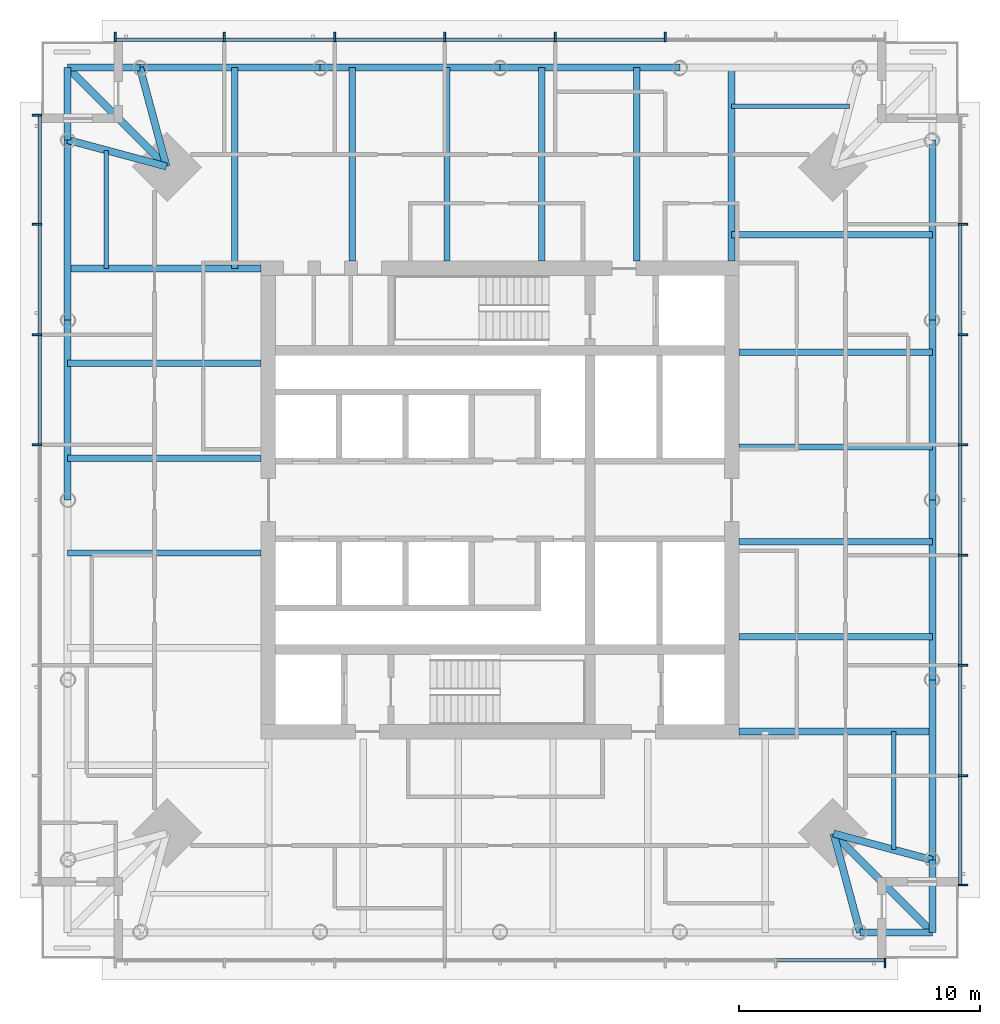
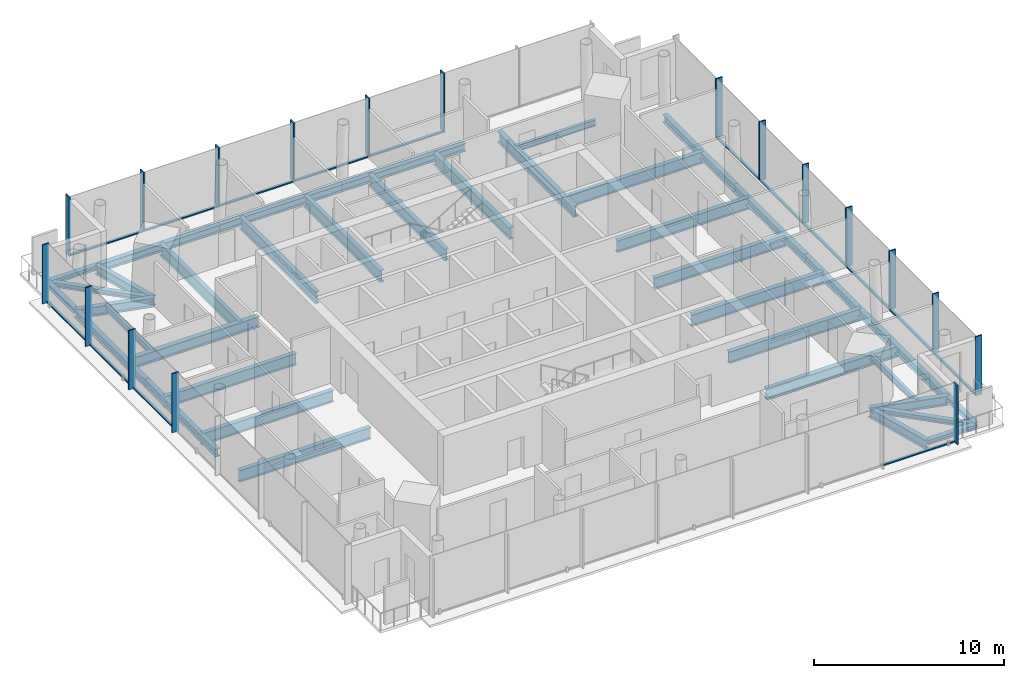
# One storey, part 2 of 11: 38 beams, 33 members, 4 elements without a shape of their own.
"""IFC4 building model written with IfcOpenShell, lengths in metres."""

from ifc_helpers import new_model, si_unit, direction, frame, origin, origin_2d, place, context, subcontext, project, spatial, rectangle, i_section, extrude, material, material_profile, profile_set, type_object, element, aggregate, save


model = new_model("IFC4")

# Units and contexts
model_context = context("Model", 3, precision=1e-05, world=origin(), true_north=direction((0.0, 1.0)))
body_context = subcontext(model_context, "Body", "Model", "MODEL_VIEW")
ifc_project = project(units=[si_unit("LENGTHUNIT", "METRE"), si_unit("AREAUNIT", "SQUARE_METRE"), si_unit("VOLUMEUNIT", "CUBIC_METRE"), si_unit("PLANEANGLEUNIT", "RADIAN"), si_unit("MASSUNIT", "GRAM", prefix="KILO")], contexts=[model_context])

# Site, building, storey
site_placement = place(None, origin())
site = spatial("IfcSite", under=ifc_project, at=site_placement, CompositionType="ELEMENT")
building_placement = place(site_placement, origin())
building = spatial("IfcBuilding", under=site, at=building_placement, Name="Ostroluk Exchange", CompositionType="ELEMENT")
storey_placement = place(building_placement, frame((0.0, 0.0, 211.0)))
storey = spatial("IfcBuildingStorey", under=building, at=storey_placement, Name="L54", CompositionType="ELEMENT", Elevation=211.0)

# Beams
ifc_material_1 = material(Name="Steel S355", Category="steel")
ifc_material_profile_1 = material_profile(ifc_material_1, i_section(OverallWidth=0.300048828125, OverallDepth=0.300048828125, WebThickness=0.010986328125, FlangeThickness=0.01904296875, FilletRadius=0.027099609375, at=origin_2d()), Name="HEB 300")
ifc_profile_set_1 = profile_set([ifc_material_profile_1], Name="Steel S355")
beam_type_1 = type_object("IfcBeamType", Name="Balcony beam HEB 300", PredefinedType="BEAM", material=ifc_profile_set_1)
for number, where, z_axis, x_axis, name in (
    (1, (30.071533203125, 63.928466796875, -0.330078125), (-1.0, 0.0, 0.0), (0.0, -1.0, 0.0), "T1 north balcony beam a"),
    (2, (27.071533203125, 60.928466796875, -0.330078125), (0.0, 1.0, 0.0), (-1.0, 0.0, 0.0), "T1 north balcony beam b"),
):
    element("IfcBeam", number, at=place(storey_placement, frame(where, z_axis=z_axis, x_axis=x_axis)), inside=storey, type_object=beam_type_1, Name=name, PredefinedType="BEAM", context=body_context, shape_type="SweptSolid", body=[
        extrude(i_section(OverallWidth=0.300048828125, OverallDepth=0.300048828125, WebThickness=0.010986328125, FlangeThickness=0.01904296875, FilletRadius=0.027099609375, at=origin_2d()), origin(), (0.0, 0.0, 1.0), 3.0),
    ])
beam_1_placement = place(storey_placement, frame((31.17138671875, 59.82861328125, -0.330078125), z_axis=(-0.707106781187, 0.707106781187, 0.0), x_axis=(-0.707106781187, -0.707106781187, 0.0)))
element("IfcBeam", 3, at=beam_1_placement, inside=storey, type_object=beam_type_1, Name="T1 north balcony beam c", PredefinedType="BEAM", context=body_context, shape_type="SweptSolid", body=[
    extrude(i_section(OverallWidth=0.300048828125, OverallDepth=0.300048828125, WebThickness=0.010986328125, FlangeThickness=0.01904296875, FilletRadius=0.027099609375, at=origin_2d()), origin(), (0.0, 0.0, 1.0), 5.798095703125),
])
for number, where, z_axis, x_axis, name in (
    (4, (59.928466796875, 28.071533203125, -0.330078125), (1.0, 0.0, 0.0), (0.0, 1.0, 0.0), "T1 south balcony beam a"),
    (5, (62.928466796875, 31.071533203125, -0.330078125), (0.0, -1.0, 0.0), (1.0, 0.0, 0.0), "T1 south balcony beam b"),
):
    element("IfcBeam", number, at=place(storey_placement, frame(where, z_axis=z_axis, x_axis=x_axis)), inside=storey, type_object=beam_type_1, Name=name, PredefinedType="BEAM", context=body_context, shape_type="SweptSolid", body=[
        extrude(i_section(OverallWidth=0.300048828125, OverallDepth=0.300048828125, WebThickness=0.010986328125, FlangeThickness=0.01904296875, FilletRadius=0.027099609375, at=origin_2d()), origin(), (0.0, 0.0, 1.0), 3.0),
    ])
beam_2_placement = place(storey_placement, frame((58.82861328125, 32.17138671875, -0.330078125), z_axis=(0.707106781187, -0.707106781187, 0.0), x_axis=(0.707106781187, 0.707106781187, 0.0)))
element("IfcBeam", 6, at=beam_2_placement, inside=storey, type_object=beam_type_1, Name="T1 south balcony beam c", PredefinedType="BEAM", context=body_context, shape_type="SweptSolid", body=[
    extrude(i_section(OverallWidth=0.300048828125, OverallDepth=0.300048828125, WebThickness=0.010986328125, FlangeThickness=0.01904296875, FilletRadius=0.027099609375, at=origin_2d()), origin(), (0.0, 0.0, 1.0), 5.798095703125),
])
ifc_material_2 = material(Name="Steel S355", Category="steel")
ifc_material_profile_2 = material_profile(ifc_material_2, i_section(OverallWidth=0.300048828125, OverallDepth=0.60009765625, WebThickness=0.015380859375, FlangeThickness=0.030029296875, FilletRadius=0.027099609375, at=origin_2d()), Name="HEB 600")
ifc_profile_set_2 = profile_set([ifc_material_profile_2], Name="Steel S355")
beam_type_2 = type_object("IfcBeamType", Name="Corner edge beam HEB 600", PredefinedType="SPANDREL", material=ifc_profile_set_2)
for number, where, z_axis, x_axis, name in (
    (7, (31.17138671875, 59.82861328125, -0.47998046875), (-0.259105011038, 0.965849156574, 0.0), (-0.965849156574, -0.259105011038, 0.0), "T1 north corner edge beam a"),
    (8, (31.17138671875, 59.82861328125, -0.47998046875), (-0.965849156574, 0.259105011038, 0.0), (-0.259105011038, -0.965849156574, 0.0), "T1 north corner edge beam b"),
    (9, (58.82861328125, 32.17138671875, -0.47998046875), (0.259105011038, -0.965849156574, 0.0), (0.965849156574, 0.259105011038, 0.0), "T1 south corner edge beam a"),
    (10, (58.82861328125, 32.17138671875, -0.47998046875), (0.965849156574, -0.259105011038, 0.0), (0.259105011038, 0.965849156574, 0.0), "T1 south corner edge beam b"),
):
    element("IfcBeam", number, at=place(storey_placement, frame(where, z_axis=z_axis, x_axis=x_axis)), inside=storey, type_object=beam_type_2, Name=name, PredefinedType="SPANDREL", context=body_context, shape_type="SweptSolid", body=[
        extrude(i_section(OverallWidth=0.300048828125, OverallDepth=0.60009765625, WebThickness=0.015380859375, FlangeThickness=0.030029296875, FilletRadius=0.027099609375, at=origin_2d()), origin(), (0.0, 0.0, 1.0), 4.244873046875),
    ])
ifc_material_3 = material(Name="Steel S355", Category="steel")
ifc_material_profile_3 = material_profile(ifc_material_3, i_section(OverallWidth=0.179931640625, OverallDepth=0.39990234375, WebThickness=0.008544921875, FlangeThickness=0.013427734375, FilletRadius=0.02099609375, at=origin_2d()), Name="IPE 400")
ifc_profile_set_3 = profile_set([ifc_material_profile_3], Name="Steel S355")
beam_type_3 = type_object("IfcBeamType", Name="Floor beam IPE 400", PredefinedType="BEAM", material=ifc_profile_set_3)
for number, where, z_axis, x_axis, name in (
    (11, (54.60009765625, 62.32861328125, -0.3798828125), (1.0, 0.0, 0.0), (0.0, 1.0, 0.0), "T1 east floor beam 6"),
    (12, (28.67138671875, 55.60009765625, -0.3798828125), (0.0, 1.0, 0.0), (-1.0, 0.0, 0.0), "T1 north floor beam 6"),
    (13, (61.32861328125, 36.39990234375, -0.3798828125), (0.0, -1.0, 0.0), (1.0, 0.0, 0.0), "T1 south floor beam 6"),
):
    element("IfcBeam", number, at=place(storey_placement, frame(where, z_axis=z_axis, x_axis=x_axis)), inside=storey, type_object=beam_type_3, Name=name, PredefinedType="BEAM", context=body_context, shape_type="SweptSolid", body=[
        extrude(i_section(OverallWidth=0.179931640625, OverallDepth=0.39990234375, WebThickness=0.008544921875, FlangeThickness=0.013427734375, FilletRadius=0.02099609375, at=origin_2d()), origin(), (0.0, 0.0, 1.0), 4.899169921875),
    ])
ifc_material_4 = material(Name="Steel S355", Category="steel")
ifc_material_profile_4 = material_profile(ifc_material_4, i_section(OverallWidth=0.264892578125, OverallDepth=0.7529296875, WebThickness=0.01318359375, FlangeThickness=0.01708984375, FilletRadius=0.01708984375, at=origin_2d()), Name="IPE 750x147")
ifc_profile_set_4 = profile_set([ifc_material_profile_4], Name="Steel S355")
beam_type_4 = type_object("IfcBeamType", Name="Floor beam IPE 750x147", PredefinedType="BEAM", material=ifc_profile_set_4)
for number, where, z_axis, x_axis, name in (
    (14, (54.89990234375, 40.332763671875, -0.556396484375), (1.0, 0.0, 0.0), (0.0, 1.0, 0.0), "T1 east floor beam 1"),
    (15, (54.89990234375, 44.265380859375, -0.556396484375), (1.0, 0.0, 0.0), (0.0, 1.0, 0.0), "T1 east floor beam 2"),
    (16, (54.89990234375, 48.197998046875, -0.556396484375), (1.0, 0.0, 0.0), (0.0, 1.0, 0.0), "T1 east floor beam 3"),
    (17, (54.89990234375, 52.130615234375, -0.556396484375), (1.0, 0.0, 0.0), (0.0, 1.0, 0.0), "T1 east floor beam 4"),
):
    element("IfcBeam", number, at=place(storey_placement, frame(where, z_axis=z_axis, x_axis=x_axis)), inside=storey, type_object=beam_type_4, Name=name, PredefinedType="BEAM", context=body_context, shape_type="SweptSolid", body=[
        extrude(i_section(OverallWidth=0.264892578125, OverallDepth=0.7529296875, WebThickness=0.01318359375, FlangeThickness=0.01708984375, FilletRadius=0.01708984375, at=origin_2d()), origin(), (0.0, 0.0, 1.0), 8.028564453125),
    ])
beam_3_placement = place(storey_placement, frame((54.60009765625, 57.0, -0.556396484375), z_axis=(1.0, 0.0, 0.0), x_axis=(0.0, 1.0, 0.0)))
element("IfcBeam", 18, at=beam_3_placement, inside=storey, type_object=beam_type_4, Name="T1 east floor beam 5", PredefinedType="BEAM", context=body_context, shape_type="SweptSolid", body=[
    extrude(i_section(OverallWidth=0.264892578125, OverallDepth=0.7529296875, WebThickness=0.01318359375, FlangeThickness=0.01708984375, FilletRadius=0.01708984375, at=origin_2d()), origin(), (0.0, 0.0, 1.0), 8.328369140625),
])
for number, where, z_axis, x_axis, name in (
    (19, (50.667236328125, 55.89990234375, -0.556396484375), (0.0, 1.0, 0.0), (-1.0, 0.0, 0.0), "T1 north floor beam 1"),
    (20, (46.734619140625, 55.89990234375, -0.556396484375), (0.0, 1.0, 0.0), (-1.0, 0.0, 0.0), "T1 north floor beam 2"),
    (21, (42.802001953125, 55.89990234375, -0.556396484375), (0.0, 1.0, 0.0), (-1.0, 0.0, 0.0), "T1 north floor beam 3"),
    (22, (38.869384765625, 55.89990234375, -0.556396484375), (0.0, 1.0, 0.0), (-1.0, 0.0, 0.0), "T1 north floor beam 4"),
):
    element("IfcBeam", number, at=place(storey_placement, frame(where, z_axis=z_axis, x_axis=x_axis)), inside=storey, type_object=beam_type_4, Name=name, PredefinedType="BEAM", context=body_context, shape_type="SweptSolid", body=[
        extrude(i_section(OverallWidth=0.264892578125, OverallDepth=0.7529296875, WebThickness=0.01318359375, FlangeThickness=0.01708984375, FilletRadius=0.01708984375, at=origin_2d()), origin(), (0.0, 0.0, 1.0), 8.028564453125),
    ])
beam_4_placement = place(storey_placement, frame((34.0, 55.60009765625, -0.556396484375), z_axis=(0.0, 1.0, 0.0), x_axis=(-1.0, 0.0, 0.0)))
element("IfcBeam", 23, at=beam_4_placement, inside=storey, type_object=beam_type_4, Name="T1 north floor beam 5", PredefinedType="BEAM", context=body_context, shape_type="SweptSolid", body=[
    extrude(i_section(OverallWidth=0.264892578125, OverallDepth=0.7529296875, WebThickness=0.01318359375, FlangeThickness=0.01708984375, FilletRadius=0.01708984375, at=origin_2d()), origin(), (0.0, 0.0, 1.0), 8.328369140625),
])
for number, where, z_axis, x_axis, name in (
    (24, (35.10009765625, 51.667236328125, -0.556396484375), (-1.0, 0.0, 0.0), (0.0, -1.0, 0.0), "T1 west floor beam 1"),
    (25, (35.10009765625, 47.734619140625, -0.556396484375), (-1.0, 0.0, 0.0), (0.0, -1.0, 0.0), "T1 west floor beam 2"),
    (26, (35.10009765625, 43.802001953125, -0.556396484375), (-1.0, 0.0, 0.0), (0.0, -1.0, 0.0), "T1 west floor beam 3"),
):
    element("IfcBeam", number, at=place(storey_placement, frame(where, z_axis=z_axis, x_axis=x_axis)), inside=storey, type_object=beam_type_4, Name=name, PredefinedType="BEAM", context=body_context, shape_type="SweptSolid", body=[
        extrude(i_section(OverallWidth=0.264892578125, OverallDepth=0.7529296875, WebThickness=0.01318359375, FlangeThickness=0.01708984375, FilletRadius=0.01708984375, at=origin_2d()), origin(), (0.0, 0.0, 1.0), 8.028564453125),
    ])
ifc_material_5 = material(Name="Steel S355", Category="steel")
ifc_material_profile_5 = material_profile(ifc_material_5, i_section(OverallWidth=0.300048828125, OverallDepth=0.699951171875, WebThickness=0.01708984375, FlangeThickness=0.031982421875, FilletRadius=0.027099609375, at=origin_2d()), Name="HEB 700")
ifc_profile_set_5 = profile_set([ifc_material_profile_5], Name="Steel S355")
beam_type_5 = type_object("IfcBeamType", Name="Girder HEB 700", PredefinedType="BEAM", material=ifc_profile_set_5)
for number, where, z_axis, x_axis, name in (
    (27, (54.60009765625, 55.89990234375, -0.530029296875), (0.0, 1.0, 0.0), (-1.0, 0.0, 0.0), "T1 east girder"),
    (28, (35.10009765625, 55.60009765625, -0.530029296875), (-1.0, 0.0, 0.0), (0.0, -1.0, 0.0), "T1 north girder"),
    (29, (54.89990234375, 36.39990234375, -0.530029296875), (1.0, 0.0, 0.0), (0.0, 1.0, 0.0), "T1 south girder"),
):
    element("IfcBeam", number, at=place(storey_placement, frame(where, z_axis=z_axis, x_axis=x_axis)), inside=storey, type_object=beam_type_5, Name=name, PredefinedType="BEAM", context=body_context, shape_type="SweptSolid", body=[
        extrude(i_section(OverallWidth=0.300048828125, OverallDepth=0.699951171875, WebThickness=0.01708984375, FlangeThickness=0.031982421875, FilletRadius=0.027099609375, at=origin_2d()), origin(), (0.0, 0.0, 1.0), 8.028564453125),
    ])
ifc_material_6 = material(Name="Steel S355", Category="steel")
ifc_material_profile_6 = material_profile(ifc_material_6, i_section(OverallWidth=0.300048828125, OverallDepth=0.5, WebThickness=0.014404296875, FlangeThickness=0.028076171875, FilletRadius=0.027099609375, at=origin_2d()), Name="HEB 500")
ifc_profile_set_6 = profile_set([ifc_material_profile_6], Name="Steel S355")
beam_type_6 = type_object("IfcBeamType", Name="Moment-connected edge beam HEB 500", PredefinedType="SPANDREL", material=ifc_profile_set_6)
beam_5_placement = place(storey_placement, frame((62.928466796875, 31.071533203125, -0.429931640625), z_axis=(0.0, 1.0, 0.0), x_axis=(-1.0, 0.0, 0.0)))
element("IfcBeam", 30, at=beam_5_placement, inside=storey, type_object=beam_type_6, Name="T1 east edge beam 1", PredefinedType="SPANDREL", context=body_context, shape_type="SweptSolid", body=[
    extrude(i_section(OverallWidth=0.300048828125, OverallDepth=0.5, WebThickness=0.014404296875, FlangeThickness=0.028076171875, FilletRadius=0.027099609375, at=origin_2d()), origin(), (0.0, 0.0, 1.0), 7.464111328125),
])
for number, where, z_axis, x_axis, name in (
    (31, (62.928466796875, 38.53564453125, -0.429931640625), (0.0, 1.0, 0.0), (-1.0, 0.0, 0.0), "T1 east edge beam 2"),
    (32, (62.928466796875, 46.0, -0.429931640625), (0.0, 1.0, 0.0), (-1.0, 0.0, 0.0), "T1 east edge beam 3"),
):
    element("IfcBeam", number, at=place(storey_placement, frame(where, z_axis=z_axis, x_axis=x_axis)), inside=storey, type_object=beam_type_6, Name=name, PredefinedType="SPANDREL", context=body_context, shape_type="SweptSolid", body=[
        extrude(i_section(OverallWidth=0.300048828125, OverallDepth=0.5, WebThickness=0.014404296875, FlangeThickness=0.028076171875, FilletRadius=0.027099609375, at=origin_2d()), origin(), (0.0, 0.0, 1.0), 7.46435546875),
    ])
beam_6_placement = place(storey_placement, frame((62.928466796875, 53.46435546875, -0.429931640625), z_axis=(0.0, 1.0, 0.0), x_axis=(-1.0, 0.0, 0.0)))
element("IfcBeam", 33, at=beam_6_placement, inside=storey, type_object=beam_type_6, Name="T1 east edge beam 4", PredefinedType="SPANDREL", context=body_context, shape_type="SweptSolid", body=[
    extrude(i_section(OverallWidth=0.300048828125, OverallDepth=0.5, WebThickness=0.014404296875, FlangeThickness=0.028076171875, FilletRadius=0.027099609375, at=origin_2d()), origin(), (0.0, 0.0, 1.0), 7.464111328125),
])
for number, where, z_axis, x_axis, name in (
    (34, (52.46435546875, 63.928466796875, -0.429931640625), (-1.0, 0.0, 0.0), (0.0, -1.0, 0.0), "T1 north edge beam 2"),
    (35, (45.0, 63.928466796875, -0.429931640625), (-1.0, 0.0, 0.0), (0.0, -1.0, 0.0), "T1 north edge beam 3"),
):
    element("IfcBeam", number, at=place(storey_placement, frame(where, z_axis=z_axis, x_axis=x_axis)), inside=storey, type_object=beam_type_6, Name=name, PredefinedType="SPANDREL", context=body_context, shape_type="SweptSolid", body=[
        extrude(i_section(OverallWidth=0.300048828125, OverallDepth=0.5, WebThickness=0.014404296875, FlangeThickness=0.028076171875, FilletRadius=0.027099609375, at=origin_2d()), origin(), (0.0, 0.0, 1.0), 7.46435546875),
    ])
for number, where, z_axis, x_axis, name in (
    (36, (37.53564453125, 63.928466796875, -0.429931640625), (-1.0, 0.0, 0.0), (0.0, -1.0, 0.0), "T1 north edge beam 4"),
    (37, (27.071533203125, 60.928466796875, -0.429931640625), (0.0, -1.0, 0.0), (1.0, 0.0, 0.0), "T1 west edge beam 1"),
):
    element("IfcBeam", number, at=place(storey_placement, frame(where, z_axis=z_axis, x_axis=x_axis)), inside=storey, type_object=beam_type_6, Name=name, PredefinedType="SPANDREL", context=body_context, shape_type="SweptSolid", body=[
        extrude(i_section(OverallWidth=0.300048828125, OverallDepth=0.5, WebThickness=0.014404296875, FlangeThickness=0.028076171875, FilletRadius=0.027099609375, at=origin_2d()), origin(), (0.0, 0.0, 1.0), 7.464111328125),
    ])
beam_7_placement = place(storey_placement, frame((27.071533203125, 53.46435546875, -0.429931640625), z_axis=(0.0, -1.0, 0.0), x_axis=(1.0, 0.0, 0.0)))
element("IfcBeam", 38, at=beam_7_placement, inside=storey, type_object=beam_type_6, Name="T1 west edge beam 2", PredefinedType="SPANDREL", context=body_context, shape_type="SweptSolid", body=[
    extrude(i_section(OverallWidth=0.300048828125, OverallDepth=0.5, WebThickness=0.014404296875, FlangeThickness=0.028076171875, FilletRadius=0.027099609375, at=origin_2d()), origin(), (0.0, 0.0, 1.0), 7.46435546875),
])

# Curtain wall, member
ifc_material_7 = material(Name="Laminated clear glass", Category="glass")
curtain_wall_type = type_object("IfcCurtainWallType", Name="Office tower facade", PredefinedType="USERDEFINED", material=ifc_material_7)
curtain_wall_1_placement = place(storey_placement, origin())
curtain_wall_1 = element("IfcCurtainWall", 39, at=curtain_wall_1_placement, inside=storey, type_object=curtain_wall_type, Name="Office tower south facade L54", ObjectType="UNITISED CURTAIN WALL", PredefinedType="USERDEFINED")
ifc_material_8 = material(Name="Aluminium mullion", Category="aluminium")
ifc_material_profile_7 = material_profile(ifc_material_8, rectangle(XDim=0.14990234375, YDim=0.080078125, at=origin_2d()), Name="Sill transom 80 x 150")
ifc_profile_set_7 = profile_set([ifc_material_profile_7], Name="Aluminium mullion")
member_type_1 = type_object("IfcMemberType", Name="Sill transom 80 x 150", PredefinedType="USERDEFINED", material=ifc_profile_set_7)
member_1_placement = place(storey_placement, frame((56.468505859375, 26.925048828125, 0.0400390625), z_axis=(1.0, 0.0, 0.0), x_axis=(0.0, 1.0, 0.0)))
member_1 = element("IfcMember", 40, at=member_1_placement, type_object=member_type_1, Name="CW-O1 transom 7.1", ObjectType="TRANSOM", PredefinedType="USERDEFINED", context=body_context, shape_type="SweptSolid", body=[
    extrude(rectangle(XDim=0.14990234375, YDim=0.080078125, at=origin_2d()), origin(), (0.0, 0.0, 1.0), 4.451416015625),
])

# Curtain wall, members
curtain_wall_2_placement = place(storey_placement, origin())
curtain_wall_2 = element("IfcCurtainWall", 41, at=curtain_wall_2_placement, inside=storey, type_object=curtain_wall_type, Name="Office tower east facade L54", ObjectType="UNITISED CURTAIN WALL", PredefinedType="USERDEFINED")
member_2_placement = place(storey_placement, frame((64.074951171875, 30.080078125, 0.0400390625), z_axis=(0.0, 1.0, 0.0), x_axis=(-1.0, 0.0, 0.0)))
member_2 = element("IfcMember", 42, at=member_2_placement, type_object=member_type_1, Name="CW-O1 transom 1.1", ObjectType="TRANSOM", PredefinedType="USERDEFINED", context=body_context, shape_type="SweptSolid", body=[
    extrude(rectangle(XDim=0.14990234375, YDim=0.080078125, at=origin_2d()), origin(), (0.0, 0.0, 1.0), 4.451416015625),
])
member_3_placement = place(storey_placement, frame((64.074951171875, 34.611328125, 0.0400390625), z_axis=(0.0, 1.0, 0.0), x_axis=(-1.0, 0.0, 0.0)))
member_3 = element("IfcMember", 43, at=member_3_placement, type_object=member_type_1, Name="CW-O1 transom 2.1", ObjectType="TRANSOM", PredefinedType="USERDEFINED", context=body_context, shape_type="SweptSolid", body=[
    extrude(rectangle(XDim=0.14990234375, YDim=0.080078125, at=origin_2d()), origin(), (0.0, 0.0, 1.0), 4.491455078125),
])
member_4_placement = place(storey_placement, frame((64.074951171875, 39.182861328125, 0.0400390625), z_axis=(0.0, 1.0, 0.0), x_axis=(-1.0, 0.0, 0.0)))
member_4 = element("IfcMember", 44, at=member_4_placement, type_object=member_type_1, Name="CW-O1 transom 3.1", ObjectType="TRANSOM", PredefinedType="USERDEFINED", context=body_context, shape_type="SweptSolid", body=[
    extrude(rectangle(XDim=0.14990234375, YDim=0.080078125, at=origin_2d()), origin(), (0.0, 0.0, 1.0), 4.491455078125),
])
member_5_placement = place(storey_placement, frame((64.074951171875, 43.75439453125, 0.0400390625), z_axis=(0.0, 1.0, 0.0), x_axis=(-1.0, 0.0, 0.0)))
member_5 = element("IfcMember", 45, at=member_5_placement, type_object=member_type_1, Name="CW-O1 transom 4.1", ObjectType="TRANSOM", PredefinedType="USERDEFINED", context=body_context, shape_type="SweptSolid", body=[
    extrude(rectangle(XDim=0.14990234375, YDim=0.080078125, at=origin_2d()), origin(), (0.0, 0.0, 1.0), 4.4912109375),
])
member_6_placement = place(storey_placement, frame((64.074951171875, 48.32568359375, 0.0400390625), z_axis=(0.0, 1.0, 0.0), x_axis=(-1.0, 0.0, 0.0)))
member_6 = element("IfcMember", 46, at=member_6_placement, type_object=member_type_1, Name="CW-O1 transom 5.1", ObjectType="TRANSOM", PredefinedType="USERDEFINED", context=body_context, shape_type="SweptSolid", body=[
    extrude(rectangle(XDim=0.14990234375, YDim=0.080078125, at=origin_2d()), origin(), (0.0, 0.0, 1.0), 4.491455078125),
])
member_7_placement = place(storey_placement, frame((64.074951171875, 52.897216796875, 0.0400390625), z_axis=(0.0, 1.0, 0.0), x_axis=(-1.0, 0.0, 0.0)))
member_7 = element("IfcMember", 47, at=member_7_placement, type_object=member_type_1, Name="CW-O1 transom 6.1", ObjectType="TRANSOM", PredefinedType="USERDEFINED", context=body_context, shape_type="SweptSolid", body=[
    extrude(rectangle(XDim=0.14990234375, YDim=0.080078125, at=origin_2d()), origin(), (0.0, 0.0, 1.0), 4.491455078125),
])

curtain_wall_3_placement = place(storey_placement, origin())
curtain_wall_3 = element("IfcCurtainWall", 48, at=curtain_wall_3_placement, inside=storey, type_object=curtain_wall_type, Name="Office tower north facade L54", ObjectType="UNITISED CURTAIN WALL", PredefinedType="USERDEFINED")
member_8_placement = place(storey_placement, frame((51.817138671875, 65.074951171875, 0.0400390625), z_axis=(-1.0, 0.0, 0.0), x_axis=(0.0, -1.0, 0.0)))
member_8 = element("IfcMember", 49, at=member_8_placement, type_object=member_type_1, Name="CW-O1 transom 3.1", ObjectType="TRANSOM", PredefinedType="USERDEFINED", context=body_context, shape_type="SweptSolid", body=[
    extrude(rectangle(XDim=0.14990234375, YDim=0.080078125, at=origin_2d()), origin(), (0.0, 0.0, 1.0), 4.491455078125),
])
member_9_placement = place(storey_placement, frame((47.24560546875, 65.074951171875, 0.0400390625), z_axis=(-1.0, 0.0, 0.0), x_axis=(0.0, -1.0, 0.0)))
member_9 = element("IfcMember", 50, at=member_9_placement, type_object=member_type_1, Name="CW-O1 transom 4.1", ObjectType="TRANSOM", PredefinedType="USERDEFINED", context=body_context, shape_type="SweptSolid", body=[
    extrude(rectangle(XDim=0.14990234375, YDim=0.080078125, at=origin_2d()), origin(), (0.0, 0.0, 1.0), 4.4912109375),
])
member_10_placement = place(storey_placement, frame((42.67431640625, 65.074951171875, 0.0400390625), z_axis=(-1.0, 0.0, 0.0), x_axis=(0.0, -1.0, 0.0)))
member_10 = element("IfcMember", 51, at=member_10_placement, type_object=member_type_1, Name="CW-O1 transom 5.1", ObjectType="TRANSOM", PredefinedType="USERDEFINED", context=body_context, shape_type="SweptSolid", body=[
    extrude(rectangle(XDim=0.14990234375, YDim=0.080078125, at=origin_2d()), origin(), (0.0, 0.0, 1.0), 4.491455078125),
])
member_11_placement = place(storey_placement, frame((38.102783203125, 65.074951171875, 0.0400390625), z_axis=(-1.0, 0.0, 0.0), x_axis=(0.0, -1.0, 0.0)))
member_11 = element("IfcMember", 52, at=member_11_placement, type_object=member_type_1, Name="CW-O1 transom 6.1", ObjectType="TRANSOM", PredefinedType="USERDEFINED", context=body_context, shape_type="SweptSolid", body=[
    extrude(rectangle(XDim=0.14990234375, YDim=0.080078125, at=origin_2d()), origin(), (0.0, 0.0, 1.0), 4.491455078125),
])
member_12_placement = place(storey_placement, frame((33.531494140625, 65.074951171875, 0.0400390625), z_axis=(-1.0, 0.0, 0.0), x_axis=(0.0, -1.0, 0.0)))
member_12 = element("IfcMember", 53, at=member_12_placement, type_object=member_type_1, Name="CW-O1 transom 7.1", ObjectType="TRANSOM", PredefinedType="USERDEFINED", context=body_context, shape_type="SweptSolid", body=[
    extrude(rectangle(XDim=0.14990234375, YDim=0.080078125, at=origin_2d()), origin(), (0.0, 0.0, 1.0), 4.451416015625),
])

curtain_wall_4_placement = place(storey_placement, origin())
curtain_wall_4 = element("IfcCurtainWall", 54, at=curtain_wall_4_placement, inside=storey, type_object=curtain_wall_type, Name="Office tower west facade L54", ObjectType="UNITISED CURTAIN WALL", PredefinedType="USERDEFINED")
member_13_placement = place(storey_placement, frame((25.925048828125, 61.919921875, 0.0400390625), z_axis=(0.0, -1.0, 0.0), x_axis=(1.0, 0.0, 0.0)))
member_13 = element("IfcMember", 55, at=member_13_placement, type_object=member_type_1, Name="CW-O1 transom 1.1", ObjectType="TRANSOM", PredefinedType="USERDEFINED", context=body_context, shape_type="SweptSolid", body=[
    extrude(rectangle(XDim=0.14990234375, YDim=0.080078125, at=origin_2d()), origin(), (0.0, 0.0, 1.0), 4.451416015625),
])
member_14_placement = place(storey_placement, frame((25.925048828125, 57.388671875, 0.0400390625), z_axis=(0.0, -1.0, 0.0), x_axis=(1.0, 0.0, 0.0)))
member_14 = element("IfcMember", 56, at=member_14_placement, type_object=member_type_1, Name="CW-O1 transom 2.1", ObjectType="TRANSOM", PredefinedType="USERDEFINED", context=body_context, shape_type="SweptSolid", body=[
    extrude(rectangle(XDim=0.14990234375, YDim=0.080078125, at=origin_2d()), origin(), (0.0, 0.0, 1.0), 4.491455078125),
])
member_15_placement = place(storey_placement, frame((25.925048828125, 52.817138671875, 0.0400390625), z_axis=(0.0, -1.0, 0.0), x_axis=(1.0, 0.0, 0.0)))
member_15 = element("IfcMember", 57, at=member_15_placement, type_object=member_type_1, Name="CW-O1 transom 3.1", ObjectType="TRANSOM", PredefinedType="USERDEFINED", context=body_context, shape_type="SweptSolid", body=[
    extrude(rectangle(XDim=0.14990234375, YDim=0.080078125, at=origin_2d()), origin(), (0.0, 0.0, 1.0), 4.491455078125),
])

# Member
ifc_material_9 = material(Name="Aluminium mullion with limestone facing", Category="masonry")
ifc_material_profile_8 = material_profile(ifc_material_9, rectangle(XDim=0.39990234375, YDim=0.080078125, at=origin_2d()), Name="Tracery mullion 80 x 400")
ifc_profile_set_8 = profile_set([ifc_material_profile_8], Name="Aluminium mullion with limestone facing")
member_type_2 = type_object("IfcMemberType", Name="Tracery mullion 80 x 400", PredefinedType="MULLION", material=ifc_profile_set_8)
member_16_placement = place(storey_placement, frame((60.9599609375, 26.800048828125, 0.0), z_axis=(0.0, 0.0, 1.0), x_axis=(0.0, 1.0, 0.0)))
member_16 = element("IfcMember", 58, at=member_16_placement, type_object=member_type_2, Name="CW-O1 mullion 8", PredefinedType="MULLION", context=body_context, shape_type="SweptSolid", body=[
    extrude(rectangle(XDim=0.39990234375, YDim=0.080078125, at=origin_2d()), origin(), (0.0, 0.0, 1.0), 3.800048828125),
])

aggregate(curtain_wall_1, [member_16, member_1])

member_17_placement = place(storey_placement, frame((64.199951171875, 30.0400390625, 0.0), z_axis=(0.0, 0.0, 1.0), x_axis=(-1.0, 0.0, 0.0)))
member_17 = element("IfcMember", 59, at=member_17_placement, type_object=member_type_2, Name="CW-O1 mullion 1", PredefinedType="MULLION", context=body_context, shape_type="SweptSolid", body=[
    extrude(rectangle(XDim=0.39990234375, YDim=0.080078125, at=origin_2d()), origin(), (0.0, 0.0, 1.0), 3.800048828125),
])

member_18_placement = place(storey_placement, frame((64.199951171875, 34.571533203125, 0.0), z_axis=(0.0, 0.0, 1.0), x_axis=(-1.0, 0.0, 0.0)))
member_18 = element("IfcMember", 60, at=member_18_placement, type_object=member_type_2, Name="CW-O1 mullion 2", PredefinedType="MULLION", context=body_context, shape_type="SweptSolid", body=[
    extrude(rectangle(XDim=0.39990234375, YDim=0.080078125, at=origin_2d()), origin(), (0.0, 0.0, 1.0), 3.800048828125),
])

member_19_placement = place(storey_placement, frame((64.199951171875, 39.142822265625, 0.0), z_axis=(0.0, 0.0, 1.0), x_axis=(-1.0, 0.0, 0.0)))
member_19 = element("IfcMember", 61, at=member_19_placement, type_object=member_type_2, Name="CW-O1 mullion 3", PredefinedType="MULLION", context=body_context, shape_type="SweptSolid", body=[
    extrude(rectangle(XDim=0.39990234375, YDim=0.080078125, at=origin_2d()), origin(), (0.0, 0.0, 1.0), 3.800048828125),
])

member_20_placement = place(storey_placement, frame((64.199951171875, 43.71435546875, 0.0), z_axis=(0.0, 0.0, 1.0), x_axis=(-1.0, 0.0, 0.0)))
member_20 = element("IfcMember", 62, at=member_20_placement, type_object=member_type_2, Name="CW-O1 mullion 4", PredefinedType="MULLION", context=body_context, shape_type="SweptSolid", body=[
    extrude(rectangle(XDim=0.39990234375, YDim=0.080078125, at=origin_2d()), origin(), (0.0, 0.0, 1.0), 3.800048828125),
])

member_21_placement = place(storey_placement, frame((64.199951171875, 48.28564453125, 0.0), z_axis=(0.0, 0.0, 1.0), x_axis=(-1.0, 0.0, 0.0)))
member_21 = element("IfcMember", 63, at=member_21_placement, type_object=member_type_2, Name="CW-O1 mullion 5", PredefinedType="MULLION", context=body_context, shape_type="SweptSolid", body=[
    extrude(rectangle(XDim=0.39990234375, YDim=0.080078125, at=origin_2d()), origin(), (0.0, 0.0, 1.0), 3.800048828125),
])

member_22_placement = place(storey_placement, frame((64.199951171875, 52.857177734375, 0.0), z_axis=(0.0, 0.0, 1.0), x_axis=(-1.0, 0.0, 0.0)))
member_22 = element("IfcMember", 64, at=member_22_placement, type_object=member_type_2, Name="CW-O1 mullion 6", PredefinedType="MULLION", context=body_context, shape_type="SweptSolid", body=[
    extrude(rectangle(XDim=0.39990234375, YDim=0.080078125, at=origin_2d()), origin(), (0.0, 0.0, 1.0), 3.800048828125),
])

member_23_placement = place(storey_placement, frame((64.199951171875, 57.428466796875, 0.0), z_axis=(0.0, 0.0, 1.0), x_axis=(-1.0, 0.0, 0.0)))
member_23 = element("IfcMember", 65, at=member_23_placement, type_object=member_type_2, Name="CW-O1 mullion 7", PredefinedType="MULLION", context=body_context, shape_type="SweptSolid", body=[
    extrude(rectangle(XDim=0.39990234375, YDim=0.080078125, at=origin_2d()), origin(), (0.0, 0.0, 1.0), 3.800048828125),
])

aggregate(curtain_wall_2, [member_17, member_18, member_19, member_20, member_21, member_22, member_23, member_2, member_3, member_4, member_5, member_6, member_7])

member_24_placement = place(storey_placement, frame((51.857177734375, 65.199951171875, 0.0), z_axis=(0.0, 0.0, 1.0), x_axis=(0.0, -1.0, 0.0)))
member_24 = element("IfcMember", 66, at=member_24_placement, type_object=member_type_2, Name="CW-O1 mullion 3", PredefinedType="MULLION", context=body_context, shape_type="SweptSolid", body=[
    extrude(rectangle(XDim=0.39990234375, YDim=0.080078125, at=origin_2d()), origin(), (0.0, 0.0, 1.0), 3.800048828125),
])

member_25_placement = place(storey_placement, frame((47.28564453125, 65.199951171875, 0.0), z_axis=(0.0, 0.0, 1.0), x_axis=(0.0, -1.0, 0.0)))
member_25 = element("IfcMember", 67, at=member_25_placement, type_object=member_type_2, Name="CW-O1 mullion 4", PredefinedType="MULLION", context=body_context, shape_type="SweptSolid", body=[
    extrude(rectangle(XDim=0.39990234375, YDim=0.080078125, at=origin_2d()), origin(), (0.0, 0.0, 1.0), 3.800048828125),
])

member_26_placement = place(storey_placement, frame((42.71435546875, 65.199951171875, 0.0), z_axis=(0.0, 0.0, 1.0), x_axis=(0.0, -1.0, 0.0)))
member_26 = element("IfcMember", 68, at=member_26_placement, type_object=member_type_2, Name="CW-O1 mullion 5", PredefinedType="MULLION", context=body_context, shape_type="SweptSolid", body=[
    extrude(rectangle(XDim=0.39990234375, YDim=0.080078125, at=origin_2d()), origin(), (0.0, 0.0, 1.0), 3.800048828125),
])

member_27_placement = place(storey_placement, frame((38.142822265625, 65.199951171875, 0.0), z_axis=(0.0, 0.0, 1.0), x_axis=(0.0, -1.0, 0.0)))
member_27 = element("IfcMember", 69, at=member_27_placement, type_object=member_type_2, Name="CW-O1 mullion 6", PredefinedType="MULLION", context=body_context, shape_type="SweptSolid", body=[
    extrude(rectangle(XDim=0.39990234375, YDim=0.080078125, at=origin_2d()), origin(), (0.0, 0.0, 1.0), 3.800048828125),
])

member_28_placement = place(storey_placement, frame((33.571533203125, 65.199951171875, 0.0), z_axis=(0.0, 0.0, 1.0), x_axis=(0.0, -1.0, 0.0)))
member_28 = element("IfcMember", 70, at=member_28_placement, type_object=member_type_2, Name="CW-O1 mullion 7", PredefinedType="MULLION", context=body_context, shape_type="SweptSolid", body=[
    extrude(rectangle(XDim=0.39990234375, YDim=0.080078125, at=origin_2d()), origin(), (0.0, 0.0, 1.0), 3.800048828125),
])

member_29_placement = place(storey_placement, frame((29.0400390625, 65.199951171875, 0.0), z_axis=(0.0, 0.0, 1.0), x_axis=(0.0, -1.0, 0.0)))
member_29 = element("IfcMember", 71, at=member_29_placement, type_object=member_type_2, Name="CW-O1 mullion 8", PredefinedType="MULLION", context=body_context, shape_type="SweptSolid", body=[
    extrude(rectangle(XDim=0.39990234375, YDim=0.080078125, at=origin_2d()), origin(), (0.0, 0.0, 1.0), 3.800048828125),
])

aggregate(curtain_wall_3, [member_24, member_25, member_26, member_27, member_28, member_29, member_8, member_9, member_10, member_11, member_12])

member_30_placement = place(storey_placement, frame((25.800048828125, 61.9599609375, 0.0), z_axis=(0.0, 0.0, 1.0), x_axis=(1.0, 0.0, 0.0)))
member_30 = element("IfcMember", 72, at=member_30_placement, type_object=member_type_2, Name="CW-O1 mullion 1", PredefinedType="MULLION", context=body_context, shape_type="SweptSolid", body=[
    extrude(rectangle(XDim=0.39990234375, YDim=0.080078125, at=origin_2d()), origin(), (0.0, 0.0, 1.0), 3.800048828125),
])

member_31_placement = place(storey_placement, frame((25.800048828125, 57.428466796875, 0.0), z_axis=(0.0, 0.0, 1.0), x_axis=(1.0, 0.0, 0.0)))
member_31 = element("IfcMember", 73, at=member_31_placement, type_object=member_type_2, Name="CW-O1 mullion 2", PredefinedType="MULLION", context=body_context, shape_type="SweptSolid", body=[
    extrude(rectangle(XDim=0.39990234375, YDim=0.080078125, at=origin_2d()), origin(), (0.0, 0.0, 1.0), 3.800048828125),
])

member_32_placement = place(storey_placement, frame((25.800048828125, 52.857177734375, 0.0), z_axis=(0.0, 0.0, 1.0), x_axis=(1.0, 0.0, 0.0)))
member_32 = element("IfcMember", 74, at=member_32_placement, type_object=member_type_2, Name="CW-O1 mullion 3", PredefinedType="MULLION", context=body_context, shape_type="SweptSolid", body=[
    extrude(rectangle(XDim=0.39990234375, YDim=0.080078125, at=origin_2d()), origin(), (0.0, 0.0, 1.0), 3.800048828125),
])

member_33_placement = place(storey_placement, frame((25.800048828125, 48.28564453125, 0.0), z_axis=(0.0, 0.0, 1.0), x_axis=(1.0, 0.0, 0.0)))
member_33 = element("IfcMember", 75, at=member_33_placement, type_object=member_type_2, Name="CW-O1 mullion 4", PredefinedType="MULLION", context=body_context, shape_type="SweptSolid", body=[
    extrude(rectangle(XDim=0.39990234375, YDim=0.080078125, at=origin_2d()), origin(), (0.0, 0.0, 1.0), 3.800048828125),
])

aggregate(curtain_wall_4, [member_30, member_31, member_32, member_33, member_13, member_14, member_15])

save(model, "model.ifc")
